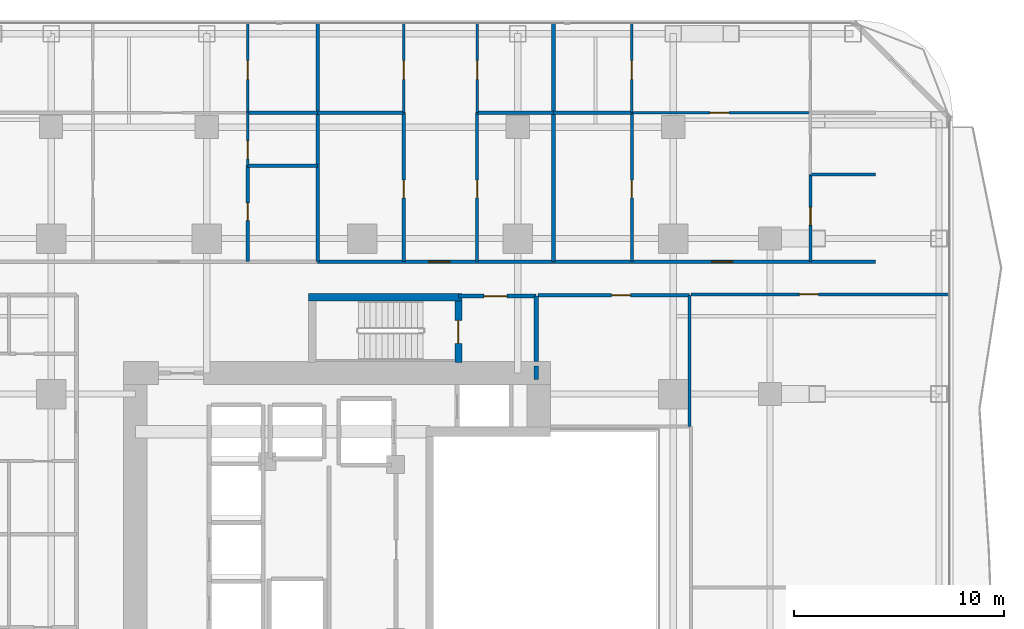
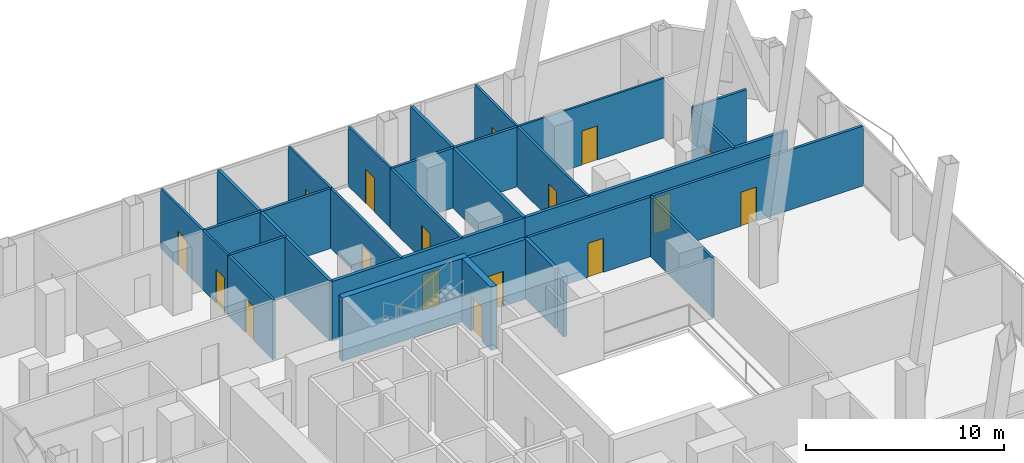
# One storey, part 29 of 33: 29 walls, 17 doors, 17 openings.
"""IFC4 building model written with IfcOpenShell, lengths in metres."""

from ifc_helpers import new_model, si_unit, direction, frame, frame_2d, origin, place, context, subcontext, project, spatial, rectangle, extrude, material, layer, layer_set, type_object, element, fill, save


model = new_model("IFC4")

# Units and contexts
model_context = context("Model", 3, precision=1e-05, world=origin(), true_north=direction((0.0, 1.0)))
body_context = subcontext(model_context, "Body", "Model", "MODEL_VIEW")
ifc_project = project(units=[si_unit("LENGTHUNIT", "METRE"), si_unit("AREAUNIT", "SQUARE_METRE"), si_unit("VOLUMEUNIT", "CUBIC_METRE"), si_unit("PLANEANGLEUNIT", "RADIAN"), si_unit("MASSUNIT", "GRAM", prefix="KILO")], contexts=[model_context])

# Site, building, storey
site_placement = place(None, origin())
site = spatial("IfcSite", under=ifc_project, at=site_placement, CompositionType="ELEMENT")
building_placement = place(site_placement, origin())
building = spatial("IfcBuilding", under=site, at=building_placement, Name="Khorvyn Point Tower", CompositionType="ELEMENT")
storey_placement = place(building_placement, frame((0.0, 0.0, 38.39990234375)))
storey = spatial("IfcBuildingStorey", under=building, at=storey_placement, Name="L10", CompositionType="ELEMENT", Elevation=38.39990234375)

# Wall, opening, door
ifc_material_1 = material(Name="Double acoustic gypsum on twin steel stud", Category="steel")
ifc_layer_1 = layer(ifc_material_1, 0.179931640625)
ifc_layer_set_1 = layer_set([ifc_layer_1], Name="Acoustic Double-Stud Apartment Demising Wall 180")
wall_type_1 = type_object("IfcWallType", Name="Acoustic Double-Stud Apartment Demising Wall 180", PredefinedType="PARTITIONING", material=ifc_layer_set_1)
wall_1_placement = place(storey_placement, frame((-2.12109375, 13.699951171875, 0.0), z_axis=(0.0, 0.0, 1.0), x_axis=(1.0, 0.0, 0.0)))
wall_1 = element("IfcWall", 1, at=wall_1_placement, inside=storey, type_object=wall_type_1, Name="Wall", PredefinedType="PARTITIONING", context=body_context, shape_type="SweptSolid", body=[
    extrude(rectangle(XDim=11.22607421875, YDim=0.179931640625, at=frame_2d((5.613037109375, 0.0))), origin(), (0.0, 0.0, 1.0), 3.68017578125),
])
opening_1_placement = place(wall_1_placement, frame((5.289794921875, 0.0, 0.0)))
opening_1 = element("IfcOpeningElement", 2, at=opening_1_placement, cuts=wall_1, Name="Opening ID-AP60", PredefinedType="OPENING", context=body_context, shape_type="SweptSolid", body=[
    extrude(rectangle(XDim=1.0, YDim=2.199951171875, at=frame_2d((0.5, 1.10009765625))), frame((0.0, 0.099853515625, 0.0), z_axis=(0.0, -1.0, 0.0), x_axis=(1.0, 0.0, 0.0)), (0.0, 0.0, 1.0), 0.199951171875),
])
ifc_material_2 = material(Name="Engineered hardwood fire-rated leaf", Category="wood")
door_type_1 = type_object("IfcDoorType", Name="Acoustic Solid-Core Timber Apartment Entrance Door 1000x2200", OperationType="NOTDEFINED", PredefinedType="DOOR", material=ifc_material_2)
door_1_placement = place(opening_1_placement, origin())
door_1 = element("IfcDoor", 3, at=door_1_placement, inside=storey, type_object=door_type_1, Name="Door", OperationType="SINGLE_SWING_LEFT", OverallHeight=2.199951171875, OverallWidth=1.0, PredefinedType="DOOR", context=body_context, shape_type="SweptSolid", body=[
    extrude(rectangle(XDim=1.0, YDim=2.199951171875, at=frame_2d((0.5, 1.10009765625))), frame((0.0, 0.02490234375, 0.0), z_axis=(0.0, -1.0, 0.0), x_axis=(1.0, 0.0, 0.0)), (0.0, 0.0, 1.0), 0.050048828125),
])
fill(opening_1, door_1)

wall_2_placement = place(storey_placement, frame((9.10498046875, 13.699951171875, 0.0), z_axis=(0.0, 0.0, 1.0), x_axis=(1.0, 0.0, 0.0)))
wall_2 = element("IfcWall", 4, at=wall_2_placement, inside=storey, type_object=wall_type_1, Name="Wall", PredefinedType="PARTITIONING", context=body_context, shape_type="SweptSolid", body=[
    extrude(rectangle(XDim=15.31494140625, YDim=0.179931640625, at=frame_2d((7.657470703125, 0.0))), origin(), (0.0, 0.0, 1.0), 3.68017578125),
])
opening_2_placement = place(wall_2_placement, frame((7.516357421875, 0.0, 0.0)))
opening_2 = element("IfcOpeningElement", 5, at=opening_2_placement, cuts=wall_2, Name="Opening ID-AP60", PredefinedType="OPENING", context=body_context, shape_type="SweptSolid", body=[
    extrude(rectangle(XDim=1.0, YDim=2.199951171875, at=frame_2d((0.5, 1.10009765625))), frame((0.0, 0.099853515625, 0.0), z_axis=(0.0, -1.0, 0.0), x_axis=(1.0, 0.0, 0.0)), (0.0, 0.0, 1.0), 0.199951171875),
])
door_2_placement = place(opening_2_placement, origin())
door_2 = element("IfcDoor", 6, at=door_2_placement, inside=storey, type_object=door_type_1, Name="Door", OperationType="SINGLE_SWING_RIGHT", OverallHeight=2.199951171875, OverallWidth=1.0, PredefinedType="DOOR", context=body_context, shape_type="SweptSolid", body=[
    extrude(rectangle(XDim=1.0, YDim=2.199951171875, at=frame_2d((0.5, 1.10009765625))), frame((0.0, 0.02490234375, 0.0), z_axis=(0.0, -1.0, 0.0), x_axis=(1.0, 0.0, 0.0)), (0.0, 0.0, 1.0), 0.050048828125),
])
fill(opening_2, door_2)

# Walls
for number, where, z_axis, x_axis, name in (
    (7, (-2.12109375, 13.699951171875, 0.0), (0.0, 0.0, 1.0), (0.0, 1.0, 0.0), "Wall"),
    (8, (9.10498046875, 13.699951171875, 0.0), (0.0, 0.0, 1.0), (0.0, 1.0, 0.0), "Wall"),
):
    element("IfcWall", number, at=place(storey_placement, frame(where, z_axis=z_axis, x_axis=x_axis)), inside=storey, type_object=wall_type_1, Name=name, PredefinedType="PARTITIONING", context=body_context, shape_type="SweptSolid", body=[
        extrude(rectangle(XDim=11.330078125, YDim=0.179931640625, at=frame_2d((5.6650390625, 0.0))), origin(), (0.0, 0.0, 1.0), 3.68017578125),
    ])

# Wall, opening, door
ifc_material_3 = material(Name="Concrete C40/50", Category="concrete")
ifc_layer_2 = layer(ifc_material_3, 0.199951171875)
ifc_layer_set_2 = layer_set([ifc_layer_2], Name="Concrete C40/50 Fire-Lobby Compartment Wall 200")
wall_type_2 = type_object("IfcWallType", Name="Concrete C40/50 Fire-Lobby Compartment Wall 200", PredefinedType="SOLIDWALL", material=ifc_layer_set_2)
wall_3_placement = place(storey_placement, frame((4.580078125, 12.06005859375, 0.0), z_axis=(0.0, 0.0, 1.0), x_axis=(1.0, 0.0, 0.0)))
wall_3 = element("IfcWall", 9, at=wall_3_placement, inside=storey, type_object=wall_type_2, Name="Wall", PredefinedType="SOLIDWALL", context=body_context, shape_type="SweptSolid", body=[
    extrude(rectangle(XDim=3.699951171875, YDim=0.199951171875, at=frame_2d((1.85009765625, 0.0))), origin(), (0.0, 0.0, 1.0), 3.68017578125),
])
opening_3_placement = place(wall_3_placement, frame((1.21240234375, 0.0, 0.0)))
opening_3 = element("IfcOpeningElement", 10, at=opening_3_placement, cuts=wall_3, Name="Opening ID-FL90", PredefinedType="OPENING", context=body_context, shape_type="SweptSolid", body=[
    extrude(rectangle(XDim=1.10009765625, YDim=2.14990234375, at=frame_2d((0.550048828125, 1.074951171875))), frame((0.0, 0.10986328125, 0.0), z_axis=(0.0, -1.0, 0.0), x_axis=(1.0, 0.0, 0.0)), (0.0, 0.0, 1.0), 0.219970703125),
])
ifc_material_4 = material(Name="Galvanised powder-coated steel", Category="steel")
door_type_2 = type_object("IfcDoorType", Name="Fire-Rated Steel Lobby and Stair Door 1100x2150", OperationType="NOTDEFINED", PredefinedType="DOOR", material=ifc_material_4)
door_3_placement = place(opening_3_placement, origin())
door_3 = element("IfcDoor", 11, at=door_3_placement, inside=storey, type_object=door_type_2, Name="Door", OperationType="SINGLE_SWING_RIGHT", OverallHeight=2.14990234375, OverallWidth=1.10009765625, PredefinedType="DOOR", context=body_context, shape_type="SweptSolid", body=[
    extrude(rectangle(XDim=1.10009765625, YDim=2.14990234375, at=frame_2d((0.550048828125, 1.074951171875))), frame((0.0, 0.02490234375, 0.0), z_axis=(0.0, -1.0, 0.0), x_axis=(1.0, 0.0, 0.0)), (0.0, 0.0, 1.0), 0.050048828125),
])
fill(opening_3, door_3)

# Walls
wall_4_placement = place(storey_placement, frame((8.280029296875, 8.949951171875, 0.0), z_axis=(0.0, 0.0, 1.0), x_axis=(0.0, 1.0, 0.0)))
element("IfcWall", 12, at=wall_4_placement, inside=storey, type_object=wall_type_2, Name="Wall", PredefinedType="SOLIDWALL", context=body_context, shape_type="SweptSolid", body=[
    extrude(rectangle(XDim=3.110107421875, YDim=0.199951171875, at=frame_2d((1.55517578125, 0.0))), origin(), (0.0, 0.0, 1.0), 3.68017578125),
])
wall_5_placement = place(storey_placement, frame((8.280029296875, 8.10009765625, 0.0), z_axis=(0.0, 0.0, 1.0), x_axis=(0.0, 1.0, 0.0)))
element("IfcWall", 13, at=wall_5_placement, inside=storey, type_object=wall_type_2, Name="Wall", PredefinedType="SOLIDWALL", context=body_context, shape_type="SweptSolid", body=[
    extrude(rectangle(XDim=0.625, YDim=0.199951171875, at=frame_2d((0.3125, 0.0))), origin(), (0.0, 0.0, 1.0), 3.68017578125),
])
ifc_layer_3 = layer(ifc_material_3, 0.35009765625)
ifc_layer_set_3 = layer_set([ifc_layer_3], Name="Concrete C40/50 Stair Shaft Structural Wall 350")
wall_type_3 = type_object("IfcWallType", Name="Concrete C40/50 Stair Shaft Structural Wall 350", PredefinedType="SHEAR", material=ifc_layer_set_3)
wall_6_placement = place(storey_placement, frame((-2.554931640625, 12.0, 0.0), z_axis=(0.0, 0.0, 1.0), x_axis=(1.0, 0.0, 0.0)))
element("IfcWall", 14, at=wall_6_placement, inside=storey, type_object=wall_type_3, Name="L10 ST-02 North Shaft Wall", PredefinedType="SHEAR", context=body_context, shape_type="SweptSolid", body=[
    extrude(rectangle(XDim=7.309814453125, YDim=0.35009765625, at=frame_2d((3.65478515625, 0.0))), origin(), (0.0, 0.0, 1.0), 3.900146484375),
])

# Wall, opening, door
wall_7_placement = place(storey_placement, frame((4.580078125, 11.824951171875, 0.0), z_axis=(0.0, 0.0, 1.0), x_axis=(0.0, -1.0, 0.0)))
wall_7 = element("IfcWall", 15, at=wall_7_placement, inside=storey, type_object=wall_type_3, Name="L10 ST-02 East Landing Door Wall", PredefinedType="SHEAR", context=body_context, shape_type="SweptSolid", body=[
    extrude(rectangle(XDim=2.925048828125, YDim=0.35009765625, at=frame_2d((1.46240234375, 0.0))), origin(), (0.0, 0.0, 1.0), 3.900146484375),
])
opening_4_placement = place(wall_7_placement, frame((0.91259765625, 0.0, 0.0)))
opening_4 = element("IfcOpeningElement", 16, at=opening_4_placement, cuts=wall_7, Name="Opening ID-FL90", PredefinedType="OPENING", context=body_context, shape_type="SweptSolid", body=[
    extrude(rectangle(XDim=1.10009765625, YDim=2.14990234375, at=frame_2d((0.550048828125, 1.074951171875))), frame((0.0, 0.18505859375, 0.0), z_axis=(0.0, -1.0, 0.0), x_axis=(1.0, 0.0, 0.0)), (0.0, 0.0, 1.0), 0.3701171875),
])
door_4_placement = place(opening_4_placement, origin())
door_4 = element("IfcDoor", 17, at=door_4_placement, inside=storey, type_object=door_type_2, Name="L10 ST-02 Smokeproof Landing Door", OperationType="SINGLE_SWING_LEFT", OverallHeight=2.14990234375, OverallWidth=1.10009765625, PredefinedType="DOOR", context=body_context, shape_type="SweptSolid", body=[
    extrude(rectangle(XDim=1.10009765625, YDim=2.14990234375, at=frame_2d((0.550048828125, 1.074951171875))), frame((0.0, 0.02490234375, 0.0), z_axis=(0.0, -1.0, 0.0), x_axis=(1.0, 0.0, 0.0)), (0.0, 0.0, 1.0), 0.050048828125),
])
fill(opening_4, door_4)

ifc_material_5 = material(Name="Gypsum plasterboard on steel stud", Category="steel")
ifc_layer_4 = layer(ifc_material_5, 0.1201171875)
ifc_layer_set_4 = layer_set([ifc_layer_4], Name="Gypsum Acoustic Stud Room Partition Wall 120")
wall_type_4 = type_object("IfcWallType", Name="Gypsum Acoustic Stud Room Partition Wall 120", PredefinedType="PARTITIONING", material=ifc_layer_set_4)
wall_8_placement = place(storey_placement, frame((-5.449951171875, 18.26611328125, 0.0), z_axis=(0.0, 0.0, 1.0), x_axis=(0.0, 1.0, 0.0)))
wall_8 = element("IfcWall", 18, at=wall_8_placement, inside=storey, type_object=wall_type_4, Name="Wall", PredefinedType="PARTITIONING", context=body_context, shape_type="SweptSolid", body=[
    extrude(rectangle(XDim=2.52392578125, YDim=0.1201171875, at=frame_2d((1.261962890625, 0.0))), origin(), (0.0, 0.0, 1.0), 3.68017578125),
])
opening_5_placement = place(wall_8_placement, frame((0.329345703125, 0.0, 0.0)))
opening_5 = element("IfcOpeningElement", 19, at=opening_5_placement, cuts=wall_8, Name="Opening ID-WC85", PredefinedType="OPENING", context=body_context, shape_type="SweptSolid", body=[
    extrude(rectangle(XDim=0.85009765625, YDim=2.10009765625, at=frame_2d((0.425048828125, 1.050048828125))), frame((0.0, 0.070068359375, 0.0), z_axis=(0.0, -1.0, 0.0), x_axis=(1.0, 0.0, 0.0)), (0.0, 0.0, 1.0), 0.14013671875),
])
ifc_material_6 = material(Name="High-pressure laminate on moisture-resistant core", Category="wood")
door_type_3 = type_object("IfcDoorType", Name="Moisture-Resistant Accessible Washroom Door 850x2100", OperationType="NOTDEFINED", PredefinedType="DOOR", material=ifc_material_6)
door_5_placement = place(opening_5_placement, origin())
door_5 = element("IfcDoor", 20, at=door_5_placement, inside=storey, type_object=door_type_3, Name="Door", OperationType="SINGLE_SWING_LEFT", OverallHeight=2.10009765625, OverallWidth=0.85009765625, PredefinedType="DOOR", context=body_context, shape_type="SweptSolid", body=[
    extrude(rectangle(XDim=0.85009765625, YDim=2.10009765625, at=frame_2d((0.425048828125, 1.050048828125))), frame((0.0, 0.02490234375, 0.0), z_axis=(0.0, -1.0, 0.0), x_axis=(1.0, 0.0, 0.0)), (0.0, 0.0, 1.0), 0.050048828125),
])
fill(opening_5, door_5)

wall_9_placement = place(storey_placement, frame((-5.449951171875, 20.7900390625, 0.0), z_axis=(0.0, 0.0, 1.0), x_axis=(0.0, 1.0, 0.0)))
wall_9 = element("IfcWall", 21, at=wall_9_placement, inside=storey, type_object=wall_type_4, Name="Wall", PredefinedType="PARTITIONING", context=body_context, shape_type="SweptSolid", body=[
    extrude(rectangle(XDim=4.239990234375, YDim=0.1201171875, at=frame_2d((2.1201171875, 0.0))), origin(), (0.0, 0.0, 1.0), 3.68017578125),
])
opening_6_placement = place(wall_9_placement, frame((1.581298828125, 0.0, 0.0)))
opening_6 = element("IfcOpeningElement", 22, at=opening_6_placement, cuts=wall_9, Name="Opening ID-RM90", PredefinedType="OPENING", context=body_context, shape_type="SweptSolid", body=[
    extrude(rectangle(XDim=0.89990234375, YDim=2.10009765625, at=frame_2d((0.449951171875, 1.050048828125))), frame((0.0, 0.070068359375, 0.0), z_axis=(0.0, -1.0, 0.0), x_axis=(1.0, 0.0, 0.0)), (0.0, 0.0, 1.0), 0.14013671875),
])
ifc_material_7 = material(Name="Engineered oak veneer timber", Category="wood")
door_type_4 = type_object("IfcDoorType", Name="Flush Engineered Timber Room Door 900x2100", OperationType="NOTDEFINED", PredefinedType="DOOR", material=ifc_material_7)
door_6_placement = place(opening_6_placement, origin())
door_6 = element("IfcDoor", 23, at=door_6_placement, inside=storey, type_object=door_type_4, Name="Door", OperationType="SINGLE_SWING_RIGHT", OverallHeight=2.10009765625, OverallWidth=0.89990234375, PredefinedType="DOOR", context=body_context, shape_type="SweptSolid", body=[
    extrude(rectangle(XDim=0.89990234375, YDim=2.10009765625, at=frame_2d((0.449951171875, 1.050048828125))), frame((0.0, 0.02490234375, 0.0), z_axis=(0.0, -1.0, 0.0), x_axis=(1.0, 0.0, 0.0)), (0.0, 0.0, 1.0), 0.050048828125),
])
fill(opening_6, door_6)

wall_10_placement = place(storey_placement, frame((1.97900390625, 20.7900390625, 0.0), z_axis=(0.0, 0.0, 1.0), x_axis=(0.0, 1.0, 0.0)))
wall_10 = element("IfcWall", 24, at=wall_10_placement, inside=storey, type_object=wall_type_4, Name="Wall", PredefinedType="PARTITIONING", context=body_context, shape_type="SweptSolid", body=[
    extrude(rectangle(XDim=4.239990234375, YDim=0.1201171875, at=frame_2d((2.1201171875, 0.0))), origin(), (0.0, 0.0, 1.0), 3.68017578125),
])
opening_7_placement = place(wall_10_placement, frame((1.581298828125, 0.0, 0.0)))
opening_7 = element("IfcOpeningElement", 25, at=opening_7_placement, cuts=wall_10, Name="Opening ID-RM90", PredefinedType="OPENING", context=body_context, shape_type="SweptSolid", body=[
    extrude(rectangle(XDim=0.89990234375, YDim=2.10009765625, at=frame_2d((0.449951171875, 1.050048828125))), frame((0.0, 0.070068359375, 0.0), z_axis=(0.0, -1.0, 0.0), x_axis=(1.0, 0.0, 0.0)), (0.0, 0.0, 1.0), 0.14013671875),
])
door_7_placement = place(opening_7_placement, origin())
door_7 = element("IfcDoor", 26, at=door_7_placement, inside=storey, type_object=door_type_4, Name="Door", OperationType="SINGLE_SWING_LEFT", OverallHeight=2.10009765625, OverallWidth=0.89990234375, PredefinedType="DOOR", context=body_context, shape_type="SweptSolid", body=[
    extrude(rectangle(XDim=0.89990234375, YDim=2.10009765625, at=frame_2d((0.449951171875, 1.050048828125))), frame((0.0, 0.02490234375, 0.0), z_axis=(0.0, -1.0, 0.0), x_axis=(1.0, 0.0, 0.0)), (0.0, 0.0, 1.0), 0.050048828125),
])
fill(opening_7, door_7)

wall_11_placement = place(storey_placement, frame((5.466064453125, 20.7900390625, 0.0), z_axis=(0.0, 0.0, 1.0), x_axis=(0.0, 1.0, 0.0)))
wall_11 = element("IfcWall", 27, at=wall_11_placement, inside=storey, type_object=wall_type_4, Name="Wall", PredefinedType="PARTITIONING", context=body_context, shape_type="SweptSolid", body=[
    extrude(rectangle(XDim=4.239990234375, YDim=0.1201171875, at=frame_2d((2.1201171875, 0.0))), origin(), (0.0, 0.0, 1.0), 3.68017578125),
])
opening_8_placement = place(wall_11_placement, frame((1.581298828125, 0.0, 0.0)))
opening_8 = element("IfcOpeningElement", 28, at=opening_8_placement, cuts=wall_11, Name="Opening ID-RM90", PredefinedType="OPENING", context=body_context, shape_type="SweptSolid", body=[
    extrude(rectangle(XDim=0.89990234375, YDim=2.10009765625, at=frame_2d((0.449951171875, 1.050048828125))), frame((0.0, 0.070068359375, 0.0), z_axis=(0.0, -1.0, 0.0), x_axis=(1.0, 0.0, 0.0)), (0.0, 0.0, 1.0), 0.14013671875),
])
door_8_placement = place(opening_8_placement, origin())
door_8 = element("IfcDoor", 29, at=door_8_placement, inside=storey, type_object=door_type_4, Name="Door", OperationType="SINGLE_SWING_LEFT", OverallHeight=2.10009765625, OverallWidth=0.89990234375, PredefinedType="DOOR", context=body_context, shape_type="SweptSolid", body=[
    extrude(rectangle(XDim=0.89990234375, YDim=2.10009765625, at=frame_2d((0.449951171875, 1.050048828125))), frame((0.0, 0.02490234375, 0.0), z_axis=(0.0, -1.0, 0.0), x_axis=(1.0, 0.0, 0.0)), (0.0, 0.0, 1.0), 0.050048828125),
])
fill(opening_8, door_8)

wall_12_placement = place(storey_placement, frame((12.833984375, 20.7900390625, 0.0), z_axis=(0.0, 0.0, 1.0), x_axis=(1.0, 0.0, 0.0)))
wall_12 = element("IfcWall", 30, at=wall_12_placement, inside=storey, type_object=wall_type_4, Name="Wall", PredefinedType="PARTITIONING", context=body_context, shape_type="SweptSolid", body=[
    extrude(rectangle(XDim=8.49609375, YDim=0.1201171875, at=frame_2d((4.248046875, 0.0))), origin(), (0.0, 0.0, 1.0), 3.68017578125),
])
opening_9_placement = place(wall_12_placement, frame((3.709228515625, 0.0, 0.0)))
opening_9 = element("IfcOpeningElement", 31, at=opening_9_placement, cuts=wall_12, Name="Opening ID-RM90", PredefinedType="OPENING", context=body_context, shape_type="SweptSolid", body=[
    extrude(rectangle(XDim=0.89990234375, YDim=2.10009765625, at=frame_2d((0.449951171875, 1.050048828125))), frame((0.0, 0.070068359375, 0.0), z_axis=(0.0, -1.0, 0.0), x_axis=(1.0, 0.0, 0.0)), (0.0, 0.0, 1.0), 0.14013671875),
])
door_9_placement = place(opening_9_placement, origin())
door_9 = element("IfcDoor", 32, at=door_9_placement, inside=storey, type_object=door_type_4, Name="Door", OperationType="SINGLE_SWING_LEFT", OverallHeight=2.10009765625, OverallWidth=0.89990234375, PredefinedType="DOOR", context=body_context, shape_type="SweptSolid", body=[
    extrude(rectangle(XDim=0.89990234375, YDim=2.10009765625, at=frame_2d((0.449951171875, 1.050048828125))), frame((0.0, 0.02490234375, 0.0), z_axis=(0.0, -1.0, 0.0), x_axis=(1.0, 0.0, 0.0)), (0.0, 0.0, 1.0), 0.050048828125),
])
fill(opening_9, door_9)

wall_13_placement = place(storey_placement, frame((12.833984375, 20.7900390625, 0.0), z_axis=(0.0, 0.0, 1.0), x_axis=(0.0, 1.0, 0.0)))
wall_13 = element("IfcWall", 33, at=wall_13_placement, inside=storey, type_object=wall_type_4, Name="Wall", PredefinedType="PARTITIONING", context=body_context, shape_type="SweptSolid", body=[
    extrude(rectangle(XDim=4.239990234375, YDim=0.1201171875, at=frame_2d((2.1201171875, 0.0))), origin(), (0.0, 0.0, 1.0), 3.68017578125),
])
opening_10_placement = place(wall_13_placement, frame((1.581298828125, 0.0, 0.0)))
opening_10 = element("IfcOpeningElement", 34, at=opening_10_placement, cuts=wall_13, Name="Opening ID-RM90", PredefinedType="OPENING", context=body_context, shape_type="SweptSolid", body=[
    extrude(rectangle(XDim=0.89990234375, YDim=2.10009765625, at=frame_2d((0.449951171875, 1.050048828125))), frame((0.0, 0.070068359375, 0.0), z_axis=(0.0, -1.0, 0.0), x_axis=(1.0, 0.0, 0.0)), (0.0, 0.0, 1.0), 0.14013671875),
])
door_10_placement = place(opening_10_placement, origin())
door_10 = element("IfcDoor", 35, at=door_10_placement, inside=storey, type_object=door_type_4, Name="Door", OperationType="SINGLE_SWING_LEFT", OverallHeight=2.10009765625, OverallWidth=0.89990234375, PredefinedType="DOOR", context=body_context, shape_type="SweptSolid", body=[
    extrude(rectangle(XDim=0.89990234375, YDim=2.10009765625, at=frame_2d((0.449951171875, 1.050048828125))), frame((0.0, 0.02490234375, 0.0), z_axis=(0.0, -1.0, 0.0), x_axis=(1.0, 0.0, 0.0)), (0.0, 0.0, 1.0), 0.050048828125),
])
fill(opening_10, door_10)

ifc_material_8 = material(Name="Moisture-resistant gypsum and cement board", Category="gypsum")
ifc_layer_5 = layer(ifc_material_8, 0.14990234375)
ifc_layer_set_5 = layer_set([ifc_layer_5], Name="Moisture-Resistant Wet-Room Partition Wall 150")
wall_type_5 = type_object("IfcWallType", Name="Moisture-Resistant Wet-Room Partition Wall 150", PredefinedType="PARTITIONING", material=ifc_layer_set_5)
wall_14_placement = place(storey_placement, frame((8.360107421875, 12.10009765625, 0.0), z_axis=(0.0, 0.0, 1.0), x_axis=(1.0, 0.0, 0.0)))
wall_14 = element("IfcWall", 36, at=wall_14_placement, inside=storey, type_object=wall_type_5, Name="Wall", PredefinedType="PARTITIONING", context=body_context, shape_type="SweptSolid", body=[
    extrude(rectangle(XDim=7.219970703125, YDim=0.14990234375, at=frame_2d((3.60986328125, 0.0))), origin(), (0.0, 0.0, 1.0), 3.68017578125),
])
opening_11_placement = place(wall_14_placement, frame((3.512939453125, 0.0, 0.0)))
opening_11 = element("IfcOpeningElement", 37, at=opening_11_placement, cuts=wall_14, Name="Opening ID-RM90", PredefinedType="OPENING", context=body_context, shape_type="SweptSolid", body=[
    extrude(rectangle(XDim=0.89990234375, YDim=2.10009765625, at=frame_2d((0.449951171875, 1.050048828125))), frame((0.0, 0.0849609375, 0.0), z_axis=(0.0, -1.0, 0.0), x_axis=(1.0, 0.0, 0.0)), (0.0, 0.0, 1.0), 0.169921875),
])
door_11_placement = place(opening_11_placement, origin())
door_11 = element("IfcDoor", 38, at=door_11_placement, inside=storey, type_object=door_type_4, Name="Door", OperationType="SINGLE_SWING_LEFT", OverallHeight=2.10009765625, OverallWidth=0.89990234375, PredefinedType="DOOR", context=body_context, shape_type="SweptSolid", body=[
    extrude(rectangle(XDim=0.89990234375, YDim=2.10009765625, at=frame_2d((0.449951171875, 1.050048828125))), frame((0.0, 0.02490234375, 0.0), z_axis=(0.0, -1.0, 0.0), x_axis=(1.0, 0.0, 0.0)), (0.0, 0.0, 1.0), 0.050048828125),
])
fill(opening_11, door_11)

wall_15_placement = place(storey_placement, frame((-5.449951171875, 13.699951171875, 0.0), z_axis=(0.0, 0.0, 1.0), x_axis=(0.0, 1.0, 0.0)))
wall_15 = element("IfcWall", 39, at=wall_15_placement, inside=storey, type_object=wall_type_5, Name="Wall", PredefinedType="PARTITIONING", context=body_context, shape_type="SweptSolid", body=[
    extrude(rectangle(XDim=4.566162109375, YDim=0.14990234375, at=frame_2d((2.283203125, 0.0))), origin(), (0.0, 0.0, 1.0), 3.68017578125),
])
opening_12_placement = place(wall_15_placement, frame((1.947509765625, 0.0, 0.0)))
opening_12 = element("IfcOpeningElement", 40, at=opening_12_placement, cuts=wall_15, Name="Opening ID-WC85", PredefinedType="OPENING", context=body_context, shape_type="SweptSolid", body=[
    extrude(rectangle(XDim=0.85009765625, YDim=2.10009765625, at=frame_2d((0.425048828125, 1.050048828125))), frame((0.0, 0.0849609375, 0.0), z_axis=(0.0, -1.0, 0.0), x_axis=(1.0, 0.0, 0.0)), (0.0, 0.0, 1.0), 0.169921875),
])
door_12_placement = place(opening_12_placement, origin())
door_12 = element("IfcDoor", 41, at=door_12_placement, inside=storey, type_object=door_type_3, Name="Door", OperationType="SINGLE_SWING_RIGHT", OverallHeight=2.10009765625, OverallWidth=0.85009765625, PredefinedType="DOOR", context=body_context, shape_type="SweptSolid", body=[
    extrude(rectangle(XDim=0.85009765625, YDim=2.10009765625, at=frame_2d((0.425048828125, 1.050048828125))), frame((0.0, 0.02490234375, 0.0), z_axis=(0.0, -1.0, 0.0), x_axis=(1.0, 0.0, 0.0)), (0.0, 0.0, 1.0), 0.050048828125),
])
fill(opening_12, door_12)

wall_16_placement = place(storey_placement, frame((1.97900390625, 13.699951171875, 0.0), z_axis=(0.0, 0.0, 1.0), x_axis=(0.0, 1.0, 0.0)))
wall_16 = element("IfcWall", 42, at=wall_16_placement, inside=storey, type_object=wall_type_5, Name="Wall", PredefinedType="PARTITIONING", context=body_context, shape_type="SweptSolid", body=[
    extrude(rectangle(XDim=7.090087890625, YDim=0.14990234375, at=frame_2d((3.544921875, 0.0))), origin(), (0.0, 0.0, 1.0), 3.68017578125),
])
opening_13_placement = place(wall_16_placement, frame((3.0302734375, 0.0, 0.0)))
opening_13 = element("IfcOpeningElement", 43, at=opening_13_placement, cuts=wall_16, Name="Opening ID-WC85", PredefinedType="OPENING", context=body_context, shape_type="SweptSolid", body=[
    extrude(rectangle(XDim=0.85009765625, YDim=2.10009765625, at=frame_2d((0.425048828125, 1.050048828125))), frame((0.0, 0.0849609375, 0.0), z_axis=(0.0, -1.0, 0.0), x_axis=(1.0, 0.0, 0.0)), (0.0, 0.0, 1.0), 0.169921875),
])
door_13_placement = place(opening_13_placement, origin())
door_13 = element("IfcDoor", 44, at=door_13_placement, inside=storey, type_object=door_type_3, Name="Door", OperationType="SINGLE_SWING_RIGHT", OverallHeight=2.10009765625, OverallWidth=0.85009765625, PredefinedType="DOOR", context=body_context, shape_type="SweptSolid", body=[
    extrude(rectangle(XDim=0.85009765625, YDim=2.10009765625, at=frame_2d((0.425048828125, 1.050048828125))), frame((0.0, 0.02490234375, 0.0), z_axis=(0.0, -1.0, 0.0), x_axis=(1.0, 0.0, 0.0)), (0.0, 0.0, 1.0), 0.050048828125),
])
fill(opening_13, door_13)

wall_17_placement = place(storey_placement, frame((5.466064453125, 13.699951171875, 0.0), z_axis=(0.0, 0.0, 1.0), x_axis=(0.0, 1.0, 0.0)))
wall_17 = element("IfcWall", 45, at=wall_17_placement, inside=storey, type_object=wall_type_5, Name="Wall", PredefinedType="PARTITIONING", context=body_context, shape_type="SweptSolid", body=[
    extrude(rectangle(XDim=7.090087890625, YDim=0.14990234375, at=frame_2d((3.544921875, 0.0))), origin(), (0.0, 0.0, 1.0), 3.68017578125),
])
opening_14_placement = place(wall_17_placement, frame((3.0302734375, 0.0, 0.0)))
opening_14 = element("IfcOpeningElement", 46, at=opening_14_placement, cuts=wall_17, Name="Opening ID-WC85", PredefinedType="OPENING", context=body_context, shape_type="SweptSolid", body=[
    extrude(rectangle(XDim=0.85009765625, YDim=2.10009765625, at=frame_2d((0.425048828125, 1.050048828125))), frame((0.0, 0.0849609375, 0.0), z_axis=(0.0, -1.0, 0.0), x_axis=(1.0, 0.0, 0.0)), (0.0, 0.0, 1.0), 0.169921875),
])
door_14_placement = place(opening_14_placement, origin())
door_14 = element("IfcDoor", 47, at=door_14_placement, inside=storey, type_object=door_type_3, Name="Door", OperationType="SINGLE_SWING_RIGHT", OverallHeight=2.10009765625, OverallWidth=0.85009765625, PredefinedType="DOOR", context=body_context, shape_type="SweptSolid", body=[
    extrude(rectangle(XDim=0.85009765625, YDim=2.10009765625, at=frame_2d((0.425048828125, 1.050048828125))), frame((0.0, 0.02490234375, 0.0), z_axis=(0.0, -1.0, 0.0), x_axis=(1.0, 0.0, 0.0)), (0.0, 0.0, 1.0), 0.050048828125),
])
fill(opening_14, door_14)

wall_18_placement = place(storey_placement, frame((12.833984375, 13.699951171875, 0.0), z_axis=(0.0, 0.0, 1.0), x_axis=(0.0, 1.0, 0.0)))
wall_18 = element("IfcWall", 48, at=wall_18_placement, inside=storey, type_object=wall_type_5, Name="Wall", PredefinedType="PARTITIONING", context=body_context, shape_type="SweptSolid", body=[
    extrude(rectangle(XDim=7.090087890625, YDim=0.14990234375, at=frame_2d((3.544921875, 0.0))), origin(), (0.0, 0.0, 1.0), 3.68017578125),
])
opening_15_placement = place(wall_18_placement, frame((3.0302734375, 0.0, 0.0)))
opening_15 = element("IfcOpeningElement", 49, at=opening_15_placement, cuts=wall_18, Name="Opening ID-WC85", PredefinedType="OPENING", context=body_context, shape_type="SweptSolid", body=[
    extrude(rectangle(XDim=0.85009765625, YDim=2.10009765625, at=frame_2d((0.425048828125, 1.050048828125))), frame((0.0, 0.0849609375, 0.0), z_axis=(0.0, -1.0, 0.0), x_axis=(1.0, 0.0, 0.0)), (0.0, 0.0, 1.0), 0.169921875),
])
door_15_placement = place(opening_15_placement, origin())
door_15 = element("IfcDoor", 50, at=door_15_placement, inside=storey, type_object=door_type_3, Name="Door", OperationType="SINGLE_SWING_RIGHT", OverallHeight=2.10009765625, OverallWidth=0.85009765625, PredefinedType="DOOR", context=body_context, shape_type="SweptSolid", body=[
    extrude(rectangle(XDim=0.85009765625, YDim=2.10009765625, at=frame_2d((0.425048828125, 1.050048828125))), frame((0.0, 0.02490234375, 0.0), z_axis=(0.0, -1.0, 0.0), x_axis=(1.0, 0.0, 0.0)), (0.0, 0.0, 1.0), 0.050048828125),
])
fill(opening_15, door_15)

wall_19_placement = place(storey_placement, frame((21.330078125, 13.699951171875, 0.0), z_axis=(0.0, 0.0, 1.0), x_axis=(0.0, 1.0, 0.0)))
wall_19 = element("IfcWall", 51, at=wall_19_placement, inside=storey, type_object=wall_type_5, Name="Wall", PredefinedType="PARTITIONING", context=body_context, shape_type="SweptSolid", body=[
    extrude(rectangle(XDim=4.14794921875, YDim=0.14990234375, at=frame_2d((2.073974609375, 0.0))), origin(), (0.0, 0.0, 1.0), 3.68017578125),
])
opening_16_placement = place(wall_19_placement, frame((1.736572265625, 0.0, 0.0)))
opening_16 = element("IfcOpeningElement", 52, at=opening_16_placement, cuts=wall_19, Name="Opening ID-WC85", PredefinedType="OPENING", context=body_context, shape_type="SweptSolid", body=[
    extrude(rectangle(XDim=0.85009765625, YDim=2.10009765625, at=frame_2d((0.425048828125, 1.050048828125))), frame((0.0, 0.0849609375, 0.0), z_axis=(0.0, -1.0, 0.0), x_axis=(1.0, 0.0, 0.0)), (0.0, 0.0, 1.0), 0.169921875),
])
door_16_placement = place(opening_16_placement, origin())
door_16 = element("IfcDoor", 53, at=door_16_placement, inside=storey, type_object=door_type_3, Name="Door", OperationType="SINGLE_SWING_RIGHT", OverallHeight=2.10009765625, OverallWidth=0.85009765625, PredefinedType="DOOR", context=body_context, shape_type="SweptSolid", body=[
    extrude(rectangle(XDim=0.85009765625, YDim=2.10009765625, at=frame_2d((0.425048828125, 1.050048828125))), frame((0.0, 0.02490234375, 0.0), z_axis=(0.0, -1.0, 0.0), x_axis=(1.0, 0.0, 0.0)), (0.0, 0.0, 1.0), 0.050048828125),
])
fill(opening_16, door_16)

wall_20_placement = place(storey_placement, frame((15.64990234375, 12.139892578125, 0.0), z_axis=(0.0, 0.0, 1.0), x_axis=(1.0, 0.0, 0.0)))
wall_20 = element("IfcWall", 54, at=wall_20_placement, inside=storey, type_object=wall_type_5, Name="Wall", PredefinedType="PARTITIONING", context=body_context, shape_type="SweptSolid", body=[
    extrude(rectangle(XDim=12.27001953125, YDim=0.14990234375, at=frame_2d((6.135009765625, 0.0))), origin(), (0.0, 0.0, 1.0), 3.68017578125),
])
opening_17_placement = place(wall_20_placement, frame((5.150390625, 0.0, 0.0)))
opening_17 = element("IfcOpeningElement", 55, at=opening_17_placement, cuts=wall_20, Name="Opening ID-RM90", PredefinedType="OPENING", context=body_context, shape_type="SweptSolid", body=[
    extrude(rectangle(XDim=0.89990234375, YDim=2.10009765625, at=frame_2d((0.449951171875, 1.050048828125))), frame((0.0, 0.0849609375, 0.0), z_axis=(0.0, -1.0, 0.0), x_axis=(1.0, 0.0, 0.0)), (0.0, 0.0, 1.0), 0.169921875),
])
door_17_placement = place(opening_17_placement, origin())
door_17 = element("IfcDoor", 56, at=door_17_placement, inside=storey, type_object=door_type_4, Name="Door", OperationType="SINGLE_SWING_LEFT", OverallHeight=2.10009765625, OverallWidth=0.89990234375, PredefinedType="DOOR", context=body_context, shape_type="SweptSolid", body=[
    extrude(rectangle(XDim=0.89990234375, YDim=2.10009765625, at=frame_2d((0.449951171875, 1.050048828125))), frame((0.0, 0.02490234375, 0.0), z_axis=(0.0, -1.0, 0.0), x_axis=(1.0, 0.0, 0.0)), (0.0, 0.0, 1.0), 0.050048828125),
])
fill(opening_17, door_17)

# Walls
wall_21_placement = place(storey_placement, frame((15.580078125, 5.85009765625, 0.0), z_axis=(0.0, 0.0, 1.0), x_axis=(0.0, 1.0, 0.0)))
element("IfcWall", 57, at=wall_21_placement, inside=storey, type_object=wall_type_5, Name="Wall", PredefinedType="PARTITIONING", context=body_context, shape_type="SweptSolid", body=[
    extrude(rectangle(XDim=6.25, YDim=0.14990234375, at=frame_2d((3.125, 0.0))), origin(), (0.0, 0.0, 1.0), 3.68017578125),
])
for number, where, z_axis, x_axis, name in (
    (58, (-5.449951171875, 18.26611328125, 0.0), (0.0, 0.0, 1.0), (1.0, 0.0, 0.0), "Wall"),
    (59, (-5.449951171875, 20.7900390625, 0.0), (0.0, 0.0, 1.0), (1.0, 0.0, 0.0), "Wall"),
):
    element("IfcWall", number, at=place(storey_placement, frame(where, z_axis=z_axis, x_axis=x_axis)), inside=storey, type_object=wall_type_5, Name=name, PredefinedType="PARTITIONING", context=body_context, shape_type="SweptSolid", body=[
        extrude(rectangle(XDim=3.328857421875, YDim=0.14990234375, at=frame_2d((1.66455078125, 0.0))), origin(), (0.0, 0.0, 1.0), 3.68017578125),
    ])
wall_22_placement = place(storey_placement, frame((-2.12109375, 20.7900390625, 0.0), z_axis=(0.0, 0.0, 1.0), x_axis=(1.0, 0.0, 0.0)))
element("IfcWall", 60, at=wall_22_placement, inside=storey, type_object=wall_type_5, Name="Wall", PredefinedType="PARTITIONING", context=body_context, shape_type="SweptSolid", body=[
    extrude(rectangle(XDim=4.10009765625, YDim=0.14990234375, at=frame_2d((2.050048828125, 0.0))), origin(), (0.0, 0.0, 1.0), 3.68017578125),
])
wall_23_placement = place(storey_placement, frame((5.466064453125, 20.7900390625, 0.0), z_axis=(0.0, 0.0, 1.0), x_axis=(1.0, 0.0, 0.0)))
element("IfcWall", 61, at=wall_23_placement, inside=storey, type_object=wall_type_5, Name="Wall", PredefinedType="PARTITIONING", context=body_context, shape_type="SweptSolid", body=[
    extrude(rectangle(XDim=3.638916015625, YDim=0.14990234375, at=frame_2d((1.8193359375, 0.0))), origin(), (0.0, 0.0, 1.0), 3.68017578125),
])
wall_24_placement = place(storey_placement, frame((9.10498046875, 20.7900390625, 0.0), z_axis=(0.0, 0.0, 1.0), x_axis=(1.0, 0.0, 0.0)))
element("IfcWall", 62, at=wall_24_placement, inside=storey, type_object=wall_type_5, Name="Wall", PredefinedType="PARTITIONING", context=body_context, shape_type="SweptSolid", body=[
    extrude(rectangle(XDim=3.72900390625, YDim=0.14990234375, at=frame_2d((1.864501953125, 0.0))), origin(), (0.0, 0.0, 1.0), 3.68017578125),
])
wall_25_placement = place(storey_placement, frame((21.330078125, 17.847900390625, 0.0), z_axis=(0.0, 0.0, 1.0), x_axis=(1.0, 0.0, 0.0)))
element("IfcWall", 63, at=wall_25_placement, inside=storey, type_object=wall_type_5, Name="Wall", PredefinedType="PARTITIONING", context=body_context, shape_type="SweptSolid", body=[
    extrude(rectangle(XDim=3.08984375, YDim=0.14990234375, at=frame_2d((1.544921875, 0.0))), origin(), (0.0, 0.0, 1.0), 3.68017578125),
])

save(model, "model.ifc")
